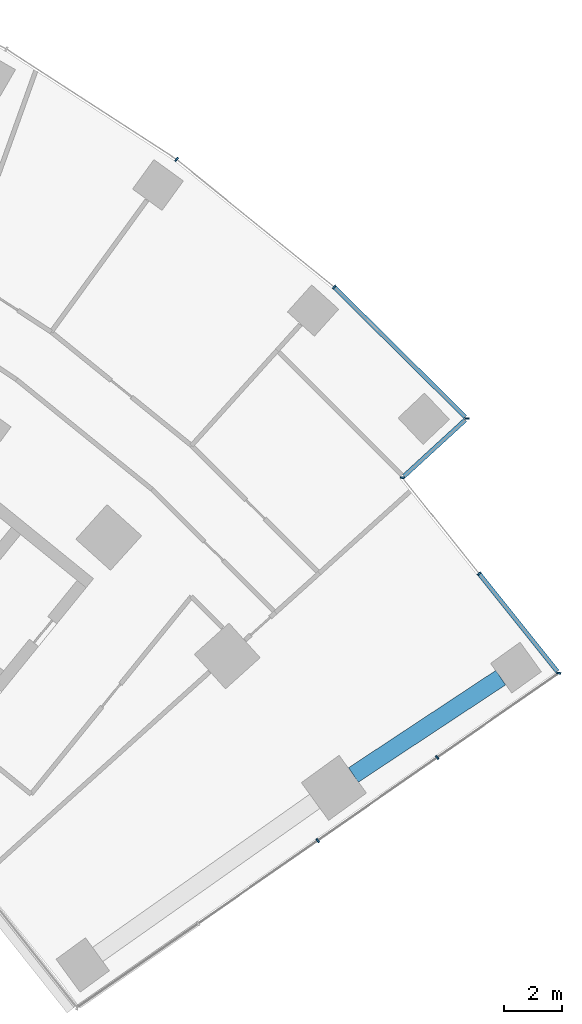
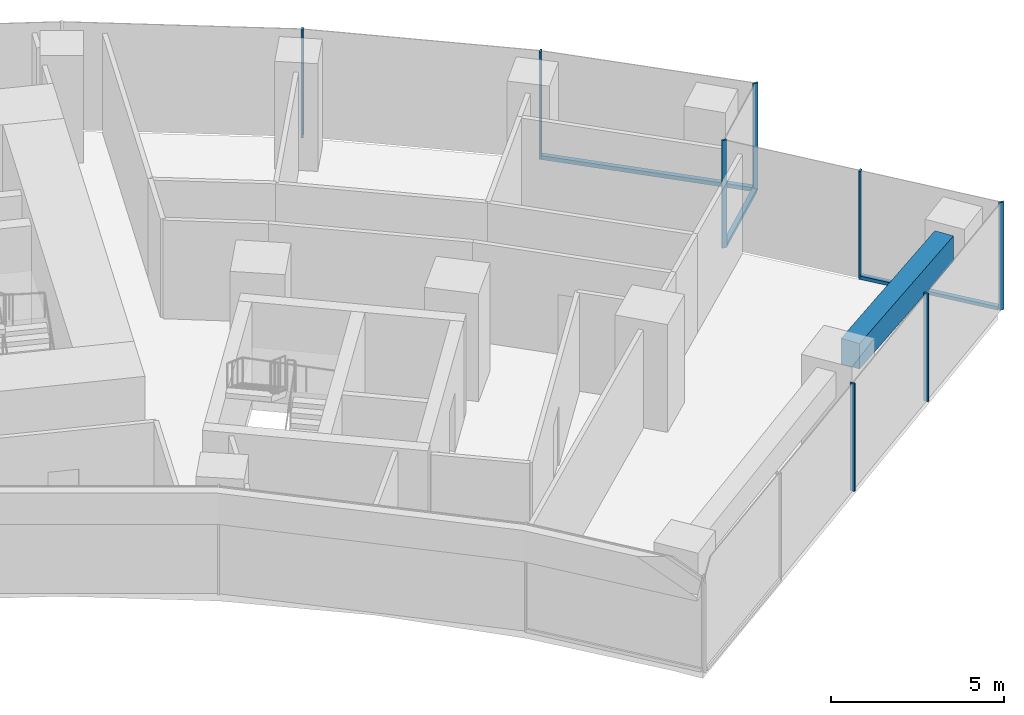
# One storey, part 10 of 21: 11 members, 1 beam, 4 elements without a shape of their own.
"""IFC4 building model written with IfcOpenShell, lengths in metres."""

from ifc_helpers import new_model, si_unit, direction, frame, origin, origin_2d, place, context, subcontext, project, spatial, rectangle, extrude, material, layer, layer_set, material_profile, profile_set, type_object, element, aggregate, save


model = new_model("IFC4")

# Units and contexts
model_context = context("Model", 3, precision=1e-05, world=origin(), true_north=direction((0.0, 1.0)))
body_context = subcontext(model_context, "Body", "Model", "MODEL_VIEW")
ifc_project = project(units=[si_unit("LENGTHUNIT", "METRE"), si_unit("AREAUNIT", "SQUARE_METRE"), si_unit("VOLUMEUNIT", "CUBIC_METRE"), si_unit("PLANEANGLEUNIT", "RADIAN"), si_unit("MASSUNIT", "GRAM", prefix="KILO")], contexts=[model_context])

# Site, building, storey
site_placement = place(None, origin())
site = spatial("IfcSite", under=ifc_project, at=site_placement, CompositionType="ELEMENT")
building_placement = place(site_placement, origin())
building = spatial("IfcBuilding", under=site, at=building_placement, Name="Stone Belt Terrace Tower", CompositionType="ELEMENT")
storey_placement = place(building_placement, frame((0.0, 0.0, 60.39990234375)))
storey = spatial("IfcBuildingStorey", under=building, at=storey_placement, Name="L14", CompositionType="ELEMENT", Elevation=60.39990234375)

# Curtain wall, members
ifc_material_1 = material(Name="Aluminium 6063-T6 anodised frame", Category="aluminium")
ifc_layer_1 = layer(ifc_material_1, 0.14990234375)
ifc_layer_set_1 = layer_set([ifc_layer_1], Name="CW-A unitised convex-face curtain wall")
curtain_wall_type_1 = type_object("IfcCurtainWallType", Name="CW-A unitised convex-face curtain wall", PredefinedType="NOTDEFINED", material=ifc_layer_set_1)
curtain_wall_1_placement = place(storey_placement, origin())
curtain_wall_1 = element("IfcCurtainWall", 1, at=curtain_wall_1_placement, inside=storey, type_object=curtain_wall_type_1, Name="CW-A convex face L14", PredefinedType="NOTDEFINED")
ifc_material_profile_1 = material_profile(ifc_material_1, rectangle(XDim=0.14990234375, YDim=0.06005859375, at=origin_2d()), Name="Aluminium 6063-T6 60x150")
ifc_profile_set_1 = profile_set([ifc_material_profile_1], Name="Aluminium 6063-T6 anodised frame")
member_type_1 = type_object("IfcMemberType", Name="CW-A mullion 60 x 150", PredefinedType="MULLION", material=ifc_profile_set_1)
member_1_placement = place(storey_placement, frame((49.104736328125, 44.960693359375, 0.0), z_axis=(0.0, 0.0, 1.0), x_axis=(-0.999817888415, 0.019083762848, 0.0)))
member_1 = element("IfcMember", 2, at=member_1_placement, type_object=member_type_1, Name="CW-A mullion 1", PredefinedType="MULLION", context=body_context, shape_type="SweptSolid", body=[
    extrude(rectangle(XDim=0.14990234375, YDim=0.06005859375, at=origin_2d()), origin(), (0.0, 0.0, 1.0), 3.800048828125),
])
member_2_placement = place(storey_placement, frame((44.54736328125, 49.47509765625, 0.0), z_axis=(0.0, 0.0, 1.0), x_axis=(-0.667371194866, -0.744725243471, 0.0)))
member_2 = element("IfcMember", 3, at=member_2_placement, type_object=member_type_1, Name="CW-A mullion 2", PredefinedType="MULLION", context=body_context, shape_type="SweptSolid", body=[
    extrude(rectangle(XDim=0.14990234375, YDim=0.06005859375, at=origin_2d()), origin(), (0.0, 0.0, 1.0), 3.800048828125),
])
member_3_placement = place(storey_placement, frame((39.1318359375, 53.8603515625, 0.0), z_axis=(0.0, 0.0, 1.0), x_axis=(-0.587785252292, -0.809016994375, 0.0)))
member_3 = element("IfcMember", 4, at=member_3_placement, type_object=member_type_1, Name="CW-A mullion 3", PredefinedType="MULLION", context=body_context, shape_type="SweptSolid", body=[
    extrude(rectangle(XDim=0.14990234375, YDim=0.06005859375, at=origin_2d()), origin(), (0.0, 0.0, 1.0), 3.800048828125),
])
ifc_material_profile_2 = material_profile(ifc_material_1, rectangle(XDim=0.14990234375, YDim=0.139892578125, at=origin_2d()), Name="Aluminium 6063-T6 150x140")
ifc_profile_set_2 = profile_set([ifc_material_profile_2], Name="Aluminium 6063-T6 anodised frame")
member_type_2 = type_object("IfcMemberType", Name="CW-A transom 140 x 150", PredefinedType="USERDEFINED", material=ifc_profile_set_2)
member_4_placement = place(storey_placement, frame((49.05126953125, 45.013427734375, 0.070068359375), z_axis=(-0.710428470855, 0.703769413799, 0.0), x_axis=(-0.703769413799, -0.710428470855, 0.0)))
member_4 = element("IfcMember", 5, at=member_4_placement, type_object=member_type_2, Name="CW-A transom 1.1", ObjectType="TRANSOM", PredefinedType="USERDEFINED", context=body_context, shape_type="SweptSolid", body=[
    extrude(rectangle(XDim=0.14990234375, YDim=0.139892578125, at=origin_2d()), origin(), (0.0, 0.0, 1.0), 6.305908203125),
])
aggregate(curtain_wall_1, [member_1, member_2, member_3, member_4])

ifc_layer_2 = layer(ifc_material_1, 0.14990234375)
ifc_layer_set_2 = layer_set([ifc_layer_2], Name="CW-C stick curtain wall, horn ends and notches")
curtain_wall_type_2 = type_object("IfcCurtainWallType", Name="CW-C stick curtain wall, horn ends and notches", PredefinedType="NOTDEFINED", material=ifc_layer_set_2)
curtain_wall_2_placement = place(storey_placement, origin())
curtain_wall_2 = element("IfcCurtainWall", 6, at=curtain_wall_2_placement, inside=storey, type_object=curtain_wall_type_2, Name="CW-C end face L14", PredefinedType="NOTDEFINED")
ifc_material_profile_3 = material_profile(ifc_material_1, rectangle(XDim=0.14990234375, YDim=0.06005859375, at=origin_2d()), Name="Aluminium 6063-T6 60x150")
ifc_profile_set_3 = profile_set([ifc_material_profile_3], Name="Aluminium 6063-T6 anodised frame")
member_type_3 = type_object("IfcMemberType", Name="CW-C mullion 60 x 150", PredefinedType="MULLION", material=ifc_profile_set_3)
member_5_placement = place(storey_placement, frame((43.980712890625, 30.462158203125, 0.0), z_axis=(0.0, 0.0, 1.0), x_axis=(-0.570537322339, 0.821271674793, 0.0)))
member_5 = element("IfcMember", 7, at=member_5_placement, type_object=member_type_3, Name="CW-C mullion 3", PredefinedType="MULLION", context=body_context, shape_type="SweptSolid", body=[
    extrude(rectangle(XDim=0.14990234375, YDim=0.06005859375, at=origin_2d()), origin(), (0.0, 0.0, 1.0), 3.800048828125),
])
member_6_placement = place(storey_placement, frame((48.087158203125, 33.31494140625, 0.0), z_axis=(0.0, 0.0, 1.0), x_axis=(-0.570537322339, 0.821271674793, 0.0)))
member_6 = element("IfcMember", 8, at=member_6_placement, type_object=member_type_3, Name="CW-C mullion 4", PredefinedType="MULLION", context=body_context, shape_type="SweptSolid", body=[
    extrude(rectangle(XDim=0.14990234375, YDim=0.06005859375, at=origin_2d()), origin(), (0.0, 0.0, 1.0), 3.800048828125),
])
aggregate(curtain_wall_2, [member_5, member_6])

curtain_wall_3_placement = place(storey_placement, origin())
curtain_wall_3 = element("IfcCurtainWall", 9, at=curtain_wall_3_placement, inside=storey, type_object=curtain_wall_type_2, Name="CW-C notch face L14", PredefinedType="NOTDEFINED")
member_7_placement = place(storey_placement, frame((52.259521484375, 36.21337890625, 0.0), z_axis=(0.0, 0.0, 1.0), x_axis=(-0.989591903189, 0.143902276362, 0.0)))
member_7 = element("IfcMember", 10, at=member_7_placement, type_object=member_type_3, Name="CW-C mullion 1", PredefinedType="MULLION", context=body_context, shape_type="SweptSolid", body=[
    extrude(rectangle(XDim=0.14990234375, YDim=0.06005859375, at=origin_2d()), origin(), (0.0, 0.0, 1.0), 3.800048828125),
])
member_8_placement = place(storey_placement, frame((49.52685546875, 39.628662109375, 0.0), z_axis=(0.0, 0.0, 1.0), x_axis=(-0.780813712139, -0.624763912959, 0.0)))
member_8 = element("IfcMember", 11, at=member_8_placement, type_object=member_type_3, Name="CW-C mullion 2", PredefinedType="MULLION", context=body_context, shape_type="SweptSolid", body=[
    extrude(rectangle(XDim=0.14990234375, YDim=0.06005859375, at=origin_2d()), origin(), (0.0, 0.0, 1.0), 3.800048828125),
])

# Curtain wall, member
curtain_wall_4_placement = place(storey_placement, origin())
curtain_wall_4 = element("IfcCurtainWall", 12, at=curtain_wall_4_placement, inside=storey, type_object=curtain_wall_type_2, Name="CW-C notch face L14", PredefinedType="NOTDEFINED")
member_9_placement = place(storey_placement, frame((46.887939453125, 42.926513671875, 0.0), z_axis=(0.0, 0.0, 1.0), x_axis=(-0.99705735712, 0.076659158705, 0.0)))
member_9 = element("IfcMember", 13, at=member_9_placement, type_object=member_type_3, Name="CW-C mullion 1", PredefinedType="MULLION", context=body_context, shape_type="SweptSolid", body=[
    extrude(rectangle(XDim=0.14990234375, YDim=0.06005859375, at=origin_2d()), origin(), (0.0, 0.0, 1.0), 3.800048828125),
])

# Member
ifc_material_profile_4 = material_profile(ifc_material_1, rectangle(XDim=0.14990234375, YDim=0.1201171875, at=origin_2d()), Name="Aluminium 6063-T6 150x120")
ifc_profile_set_4 = profile_set([ifc_material_profile_4], Name="Aluminium 6063-T6 anodised frame")
member_type_4 = type_object("IfcMemberType", Name="CW-C transom 120 x 150", PredefinedType="USERDEFINED", material=ifc_profile_set_4)
member_10_placement = place(storey_placement, frame((52.21240234375, 36.27197265625, 0.06005859375), z_axis=(-0.624750841732, 0.780824170832, 0.0), x_axis=(-0.780824170832, -0.624750841732, 0.0)))
member_10 = element("IfcMember", 14, at=member_10_placement, type_object=member_type_4, Name="CW-C transom 1.1", ObjectType="TRANSOM", PredefinedType="USERDEFINED", context=body_context, shape_type="SweptSolid", body=[
    extrude(rectangle(XDim=0.14990234375, YDim=0.1201171875, at=origin_2d()), origin(), (0.0, 0.0, 1.0), 4.268798828125),
])

aggregate(curtain_wall_3, [member_7, member_8, member_10])

member_11_placement = place(storey_placement, frame((46.94189453125, 42.975830078125, 0.06005859375), z_axis=(0.736757207499, 0.676157390848, 0.0), x_axis=(-0.676157390848, 0.736757207499, 0.0)))
member_11 = element("IfcMember", 15, at=member_11_placement, type_object=member_type_4, Name="CW-C transom 1.1", ObjectType="TRANSOM", PredefinedType="USERDEFINED", context=body_context, shape_type="SweptSolid", body=[
    extrude(rectangle(XDim=0.14990234375, YDim=0.1201171875, at=origin_2d()), origin(), (0.0, 0.0, 1.0), 2.8603515625),
])

aggregate(curtain_wall_4, [member_9, member_11])

# Beam
ifc_material_2 = material(Name="Concrete B60", Category="concrete")
ifc_material_profile_5 = material_profile(ifc_material_2, rectangle(XDim=0.60009765625, YDim=0.89990234375, at=origin_2d()), Name="RC 600x900")
ifc_profile_set_5 = profile_set([ifc_material_profile_5], Name="Concrete B60")
beam_type = type_object("IfcBeamType", Name="Edge beam RC 600x900 B60", PredefinedType="SPANDREL", material=ifc_profile_set_5)
beam_placement = place(storey_placement, frame((45.204345703125, 32.7138671875, 3.030029296875), z_axis=(0.83437001068, 0.551204758032, 0.0), x_axis=(-0.551204758032, 0.83437001068, 0.0)))
element("IfcBeam", 16, at=beam_placement, inside=storey, type_object=beam_type, Name="Edge beam L14 B Q to R", PredefinedType="SPANDREL", context=body_context, shape_type="SweptSolid", body=[
    extrude(rectangle(XDim=0.60009765625, YDim=0.89990234375, at=origin_2d()), origin(), (0.0, 0.0, 1.0), 6.06884765625),
])

save(model, "model.ifc")
